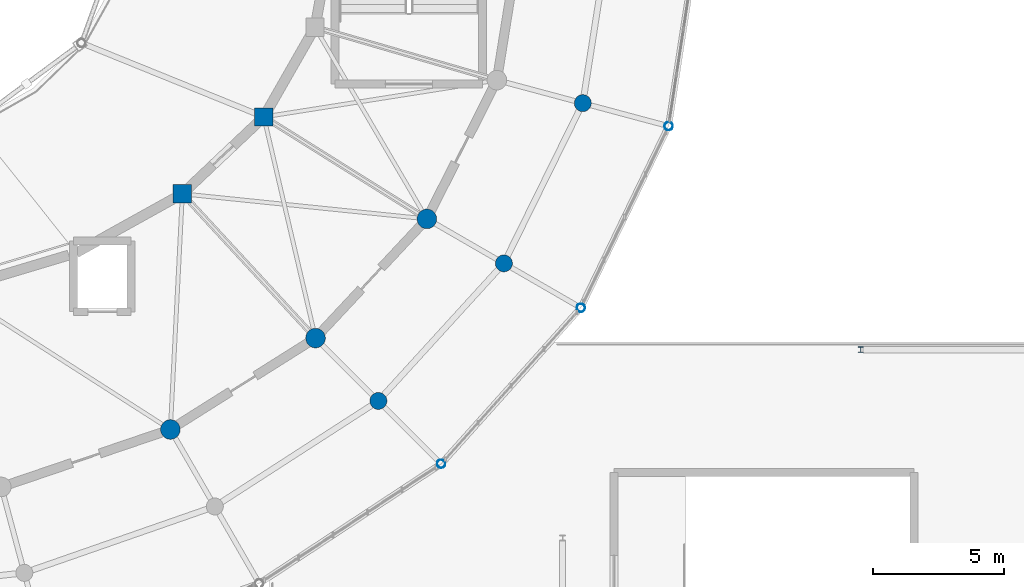
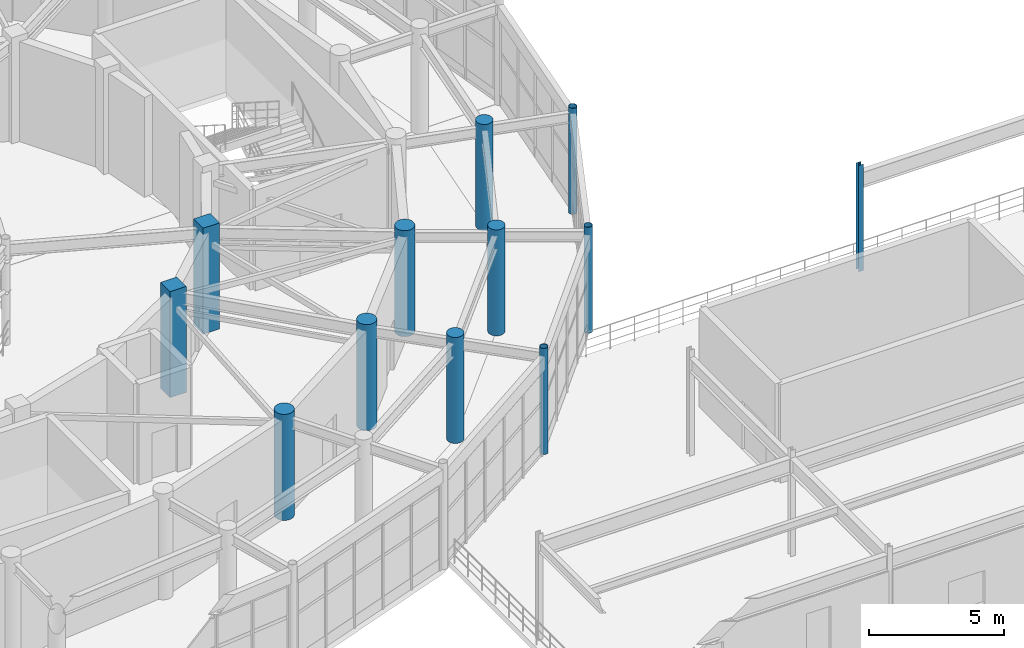
# One storey, part 22 of 144: 12 columns.
"""IFC4 building model written with IfcOpenShell, lengths in metres."""

from ifc_helpers import new_model, si_unit, direction, frame, origin, origin_2d, place, context, subcontext, project, spatial, rectangle, circle, hollow_circle, i_section, extrude, material, material_profile, profile_set, type_object, element, save


model = new_model("IFC4")

# Units and contexts
model_context = context("Model", 3, precision=1e-05, world=origin(), true_north=direction((0.0, 1.0)))
body_context = subcontext(model_context, "Body", "Model", "MODEL_VIEW")
ifc_project = project(units=[si_unit("LENGTHUNIT", "METRE"), si_unit("AREAUNIT", "SQUARE_METRE"), si_unit("VOLUMEUNIT", "CUBIC_METRE"), si_unit("PLANEANGLEUNIT", "RADIAN"), si_unit("MASSUNIT", "GRAM", prefix="KILO")], contexts=[model_context])

# Site, building, storey
site_placement = place(None, origin())
site = spatial("IfcSite", under=ifc_project, at=site_placement, CompositionType="ELEMENT")
building_placement = place(site_placement, origin())
building = spatial("IfcBuilding", under=site, at=building_placement, Name="Cinderbank Siding Concert Hall", CompositionType="ELEMENT")
storey_placement = place(building_placement, frame((0.0, 0.0, 5.39990234375)))
storey = spatial("IfcBuildingStorey", under=building, at=storey_placement, Name="L02", CompositionType="ELEMENT", Elevation=5.39990234375)

# Columns
ifc_material_1 = material(Name="Structural steel hollow section AS/NZS 1163 Grade C350L0 (350 MPa)", Category="steel")
ifc_material_profile_1 = material_profile(ifc_material_1, hollow_circle(Radius=0.161865234375, WallThickness=0.0126953125, at=origin_2d()), Name="323.9x12.7CHS", Category="LoadBearing")
ifc_profile_set_1 = profile_set([ifc_material_profile_1], Name="Structural steel hollow section AS/NZS 1163 Grade C350L0 (350 MPa)")
column_type_1 = type_object("IfcColumnType", Name="C-CHS323 323.9x12.7CHS", PredefinedType="COLUMN", material=ifc_profile_set_1)
for number, where, z_axis, x_axis, name in (
    (1, (145.759033203125, 23.635009765625, 0.0), (0.0, 0.0, 1.0), (1.0, 0.0, 0.0), "L02 Column COL-E4-22"),
    (2, (151.09912109375, 29.60009765625, 0.0), (0.0, 0.0, 1.0), (1.0, 0.0, 0.0), "L02 Column COL-E4-23"),
    (3, (154.455078125, 36.5458984375, 0.0), (0.0, 0.0, 1.0), (1.0, 0.0, 0.0), "L02 Column COL-E4-24"),
):
    element("IfcColumn", number, at=place(storey_placement, frame(where, z_axis=z_axis, x_axis=x_axis)), inside=storey, type_object=column_type_1, Name=name, PredefinedType="COLUMN", context=body_context, shape_type="SweptSolid", body=[
        extrude(hollow_circle(Radius=0.161865234375, WallThickness=0.0126953125, at=origin_2d()), origin(), (0.0, 0.0, 1.0), 4.800048828125),
    ])
ifc_material_2 = material(Name="Reinforced concrete AS 3600 N50 (50 MPa)", Category="concrete")
ifc_material_profile_2 = material_profile(ifc_material_2, rectangle(XDim=0.699951171875, YDim=0.699951171875, at=origin_2d()), Name="RC-COL-700x700", Category="LoadBearing")
ifc_profile_set_2 = profile_set([ifc_material_profile_2], Name="Reinforced concrete AS 3600 N50 (50 MPa)")
column_type_2 = type_object("IfcColumnType", Name="C-RC700 RC-COL-700x700", PredefinedType="COLUMN", material=ifc_profile_set_2)
for number, where, z_axis, x_axis, name in (
    (4, (135.85888671875, 33.958984375, 0.0), (0.0, 0.0, 1.0), (1.0, 0.0, 0.0), "L02 Column COL-E1-22"),
    (5, (138.97412109375, 36.89990234375, 0.0), (0.0, 0.0, 1.0), (1.0, 0.0, 0.0), "L02 Column COL-E1-23"),
):
    element("IfcColumn", number, at=place(storey_placement, frame(where, z_axis=z_axis, x_axis=x_axis)), inside=storey, type_object=column_type_2, Name=name, PredefinedType="COLUMN", context=body_context, shape_type="SweptSolid", body=[
        extrude(rectangle(XDim=0.699951171875, YDim=0.699951171875, at=origin_2d()), origin(), (0.0, 0.0, 1.0), 4.800048828125),
    ])
ifc_material_profile_3 = material_profile(ifc_material_2, circle(Radius=0.324951171875, at=origin_2d()), Name="RC-COL-650DIA", Category="LoadBearing")
ifc_profile_set_3 = profile_set([ifc_material_profile_3], Name="Reinforced concrete AS 3600 N50 (50 MPa)")
column_type_3 = type_object("IfcColumnType", Name="C-RCD650 RC-COL-650DIA", PredefinedType="COLUMN", material=ifc_profile_set_3)
for number, where, z_axis, x_axis, name in (
    (6, (143.35498046875, 26.0400390625, 0.0), (0.0, 0.0, 1.0), (1.0, 0.0, 0.0), "L02 Column COL-E3-22"),
    (7, (148.154052734375, 31.300048828125, 0.0), (0.0, 0.0, 1.0), (1.0, 0.0, 0.0), "L02 Column COL-E3-23"),
    (8, (151.1708984375, 37.426025390625, 0.0), (0.0, 0.0, 1.0), (1.0, 0.0, 0.0), "L02 Column COL-E3-24"),
):
    element("IfcColumn", number, at=place(storey_placement, frame(where, z_axis=z_axis, x_axis=x_axis)), inside=storey, type_object=column_type_3, Name=name, PredefinedType="COLUMN", context=body_context, shape_type="SweptSolid", body=[
        extrude(circle(Radius=0.324951171875, at=origin_2d()), origin(), (0.0, 0.0, 1.0), 4.800048828125),
    ])
ifc_material_profile_4 = material_profile(ifc_material_2, circle(Radius=0.375, at=origin_2d()), Name="RC-COL-750DIA", Category="LoadBearing")
ifc_profile_set_4 = profile_set([ifc_material_profile_4], Name="Reinforced concrete AS 3600 N50 (50 MPa)")
column_type_4 = type_object("IfcColumnType", Name="C-RCD750 RC-COL-750DIA", PredefinedType="COLUMN", material=ifc_profile_set_4)
for number, where, z_axis, x_axis, name in (
    (9, (135.39990234375, 24.947021484375, 0.0), (0.0, 0.0, 1.0), (1.0, 0.0, 0.0), "L02 Column COL-E2-21"),
    (10, (140.950927734375, 28.444091796875, 0.0), (0.0, 0.0, 1.0), (1.0, 0.0, 0.0), "L02 Column COL-E2-22"),
    (11, (145.208984375, 33.0, 0.0), (0.0, 0.0, 1.0), (1.0, 0.0, 0.0), "L02 Column COL-E2-23"),
):
    element("IfcColumn", number, at=place(storey_placement, frame(where, z_axis=z_axis, x_axis=x_axis)), inside=storey, type_object=column_type_4, Name=name, PredefinedType="COLUMN", context=body_context, shape_type="SweptSolid", body=[
        extrude(circle(Radius=0.375, at=origin_2d()), origin(), (0.0, 0.0, 1.0), 4.800048828125),
    ])
ifc_material_3 = material(Name="Structural steel AS/NZS 3679.1 Grade 350 (340 MPa)", Category="steel")
ifc_material_profile_5 = material_profile(ifc_material_3, i_section(OverallWidth=0.205078125, OverallDepth=0.209716796875, WebThickness=0.00927734375, FlangeThickness=0.01416015625, at=origin_2d()), Name="200UC59.5", Category="LoadBearing")
ifc_profile_set_5 = profile_set([ifc_material_profile_5], Name="Structural steel AS/NZS 3679.1 Grade 350 (340 MPa)")
column_type_5 = type_object("IfcColumnType", Name="C-UC200 200UC59.5", PredefinedType="COLUMN", material=ifc_profile_set_5)
column_placement = place(storey_placement, frame((161.800048828125, 28.0, 0.0), z_axis=(0.0, 0.0, 1.0), x_axis=(1.0, 0.0, 0.0)))
element("IfcColumn", 12, at=column_placement, inside=storey, type_object=column_type_5, Name="L02 Column COL-SE-3-4", PredefinedType="COLUMN", context=body_context, shape_type="SweptSolid", body=[
    extrude(i_section(OverallWidth=0.205078125, OverallDepth=0.209716796875, WebThickness=0.00927734375, FlangeThickness=0.01416015625, at=origin_2d()), origin(), (0.0, 0.0, 1.0), 4.800048828125),
])

save(model, "model.ifc")
